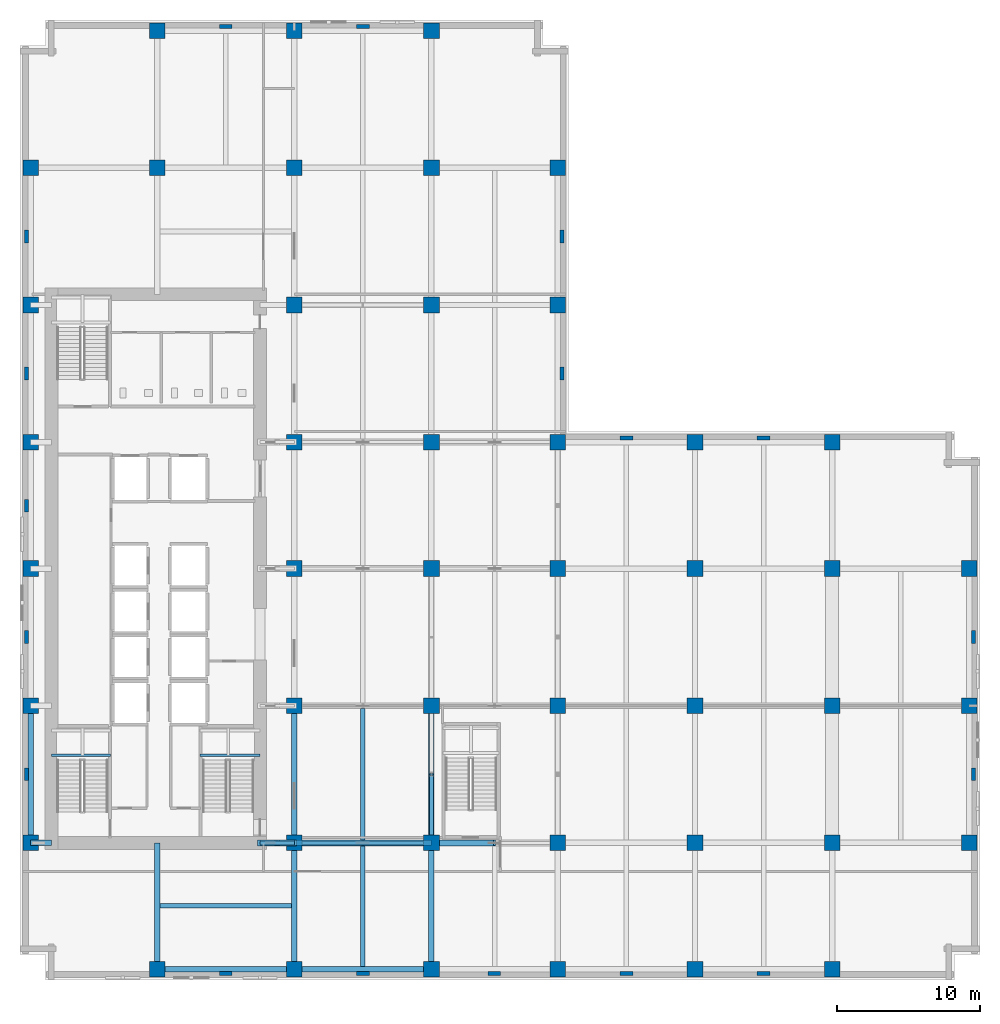
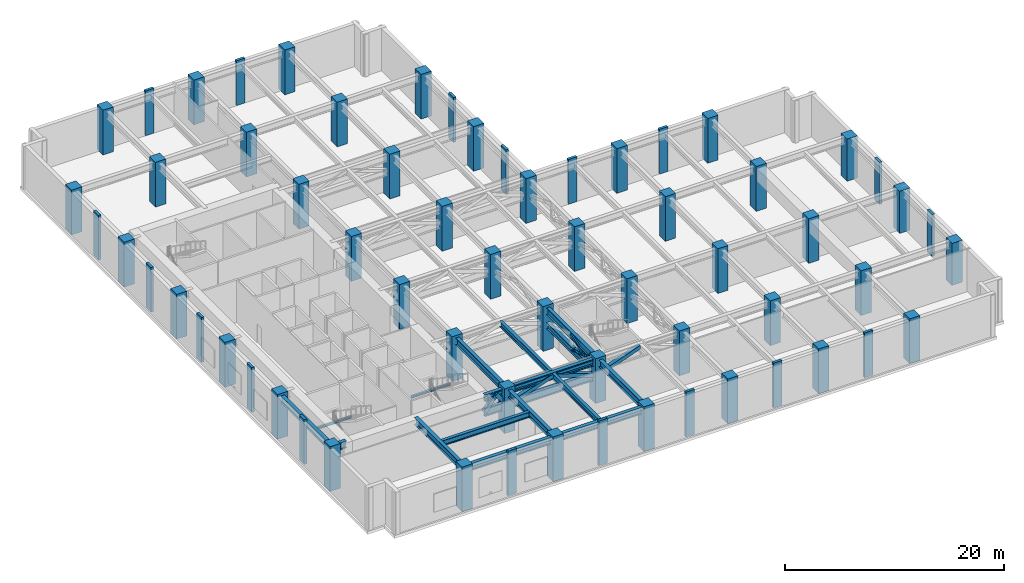
# One storey, part 1 of 22: 63 columns, 19 beams, 9 members.
"""IFC4 building model written with IfcOpenShell, lengths in metres."""

from ifc_helpers import new_model, si_unit, direction, frame, origin, origin_2d, place, context, subcontext, project, spatial, rectangle, hollow_rectangle, i_section, extrude, material, material_profile, profile_set, type_object, element, save


model = new_model("IFC4")

# Units and contexts
model_context = context("Model", 3, precision=1e-05, world=origin(), true_north=direction((0.0, 1.0)))
body_context = subcontext(model_context, "Body", "Model", "MODEL_VIEW")
ifc_project = project(units=[si_unit("LENGTHUNIT", "METRE"), si_unit("AREAUNIT", "SQUARE_METRE"), si_unit("VOLUMEUNIT", "CUBIC_METRE"), si_unit("PLANEANGLEUNIT", "RADIAN"), si_unit("MASSUNIT", "GRAM", prefix="KILO")], contexts=[model_context])

# Site, building, storey
site_placement = place(None, origin())
site = spatial("IfcSite", under=ifc_project, at=site_placement, CompositionType="ELEMENT")
building_placement = place(site_placement, origin())
building = spatial("IfcBuilding", under=site, at=building_placement, Name="Norrvale University Quadrangle", CompositionType="ELEMENT")
storey_placement = place(building_placement, frame((0.0, 0.0, 96.39990234375)))
storey = spatial("IfcBuildingStorey", under=building, at=storey_placement, Name="L24", CompositionType="ELEMENT", Elevation=96.39990234375)

# Columns
ifc_material_1 = material(Name="Buff Brick Concrete C60/75", Category="concrete")
ifc_material_profile_1 = material_profile(ifc_material_1, rectangle(XDim=0.89990234375, YDim=0.280029296875, at=origin_2d()), Name="Buff Brick Concrete C60/75")
ifc_profile_set_1 = profile_set([ifc_material_profile_1], Name="Buff Brick Concrete C60/75")
column_type_1 = type_object("IfcColumnType", Name="Column Buff Pier 900x280", PredefinedType="PILASTER", material=ifc_profile_set_1)
for number, where, z_axis, x_axis, name in (
    (1, (0.449951171875, 14.39990234375, 0.0), (0.0, 0.0, 1.0), (0.0, 1.0, 0.0), "Exterior Brick Facade Pilaster L24-01"),
    (2, (0.449951171875, 24.0, 0.0), (0.0, 0.0, 1.0), (0.0, 1.0, 0.0), "Exterior Brick Facade Pilaster L24-02"),
    (3, (0.449951171875, 33.199951171875, 0.0), (0.0, 0.0, 1.0), (0.0, 1.0, 0.0), "Exterior Brick Facade Pilaster L24-03"),
    (4, (0.449951171875, 42.449951171875, 0.0), (0.0, 0.0, 1.0), (0.0, 1.0, 0.0), "Exterior Brick Facade Pilaster L24-04"),
    (5, (0.449951171875, 52.050048828125, 0.0), (0.0, 0.0, 1.0), (0.0, 1.0, 0.0), "Exterior Brick Facade Pilaster L24-05"),
    (6, (14.39990234375, 0.449951171875, 0.0), (0.0, 0.0, 1.0), (1.0, 0.0, 0.0), "Exterior Brick Facade Pilaster L24-06"),
    (7, (24.0, 0.449951171875, 0.0), (0.0, 0.0, 1.0), (1.0, 0.0, 0.0), "Exterior Brick Facade Pilaster L24-07"),
    (8, (33.199951171875, 0.449951171875, 0.0), (0.0, 0.0, 1.0), (1.0, 0.0, 0.0), "Exterior Brick Facade Pilaster L24-08"),
    (9, (42.449951171875, 0.449951171875, 0.0), (0.0, 0.0, 1.0), (1.0, 0.0, 0.0), "Exterior Brick Facade Pilaster L24-09"),
    (10, (52.050048828125, 0.449951171875, 0.0), (0.0, 0.0, 1.0), (1.0, 0.0, 0.0), "Exterior Brick Facade Pilaster L24-10"),
):
    element("IfcColumn", number, at=place(storey_placement, frame(where, z_axis=z_axis, x_axis=x_axis)), inside=storey, type_object=column_type_1, Name=name, PredefinedType="PILASTER", context=body_context, shape_type="SweptSolid", body=[
        extrude(rectangle(XDim=0.89990234375, YDim=0.280029296875, at=origin_2d()), origin(), (0.0, 0.0, 1.0), 5.0),
    ])
for number, where, z_axis, x_axis, name in (
    (11, (66.75, 14.39990234375, 0.0), (0.0, 0.0, 1.0), (0.0, 1.0, 0.0), "Exterior Brick Facade Pilaster L24-11"),
    (12, (66.75, 24.0, 0.0), (0.0, 0.0, 1.0), (0.0, 1.0, 0.0), "Exterior Brick Facade Pilaster L24-12"),
):
    element("IfcColumn", number, at=place(storey_placement, frame(where, z_axis=z_axis, x_axis=x_axis)), inside=storey, type_object=column_type_1, Name=name, PredefinedType="PILASTER", context=body_context, shape_type="SweptSolid", body=[
        extrude(rectangle(XDim=0.89990234375, YDim=0.280029296875, at=origin_2d()), origin(), (0.0, 0.0, 1.0), 4.7001953125),
    ])
for number, where, z_axis, x_axis, name in (
    (13, (14.39990234375, 66.75, 0.0), (0.0, 0.0, 1.0), (1.0, 0.0, 0.0), "Exterior Brick Facade Pilaster L24-13"),
    (14, (24.0, 66.75, 0.0), (0.0, 0.0, 1.0), (1.0, 0.0, 0.0), "Exterior Brick Facade Pilaster L24-14"),
    (15, (37.949951171875, 42.449951171875, 0.0), (0.0, 0.0, 1.0), (0.0, 1.0, 0.0), "Exterior Brick Facade Pilaster L24-15"),
    (16, (37.949951171875, 52.050048828125, 0.0), (0.0, 0.0, 1.0), (0.0, 1.0, 0.0), "Exterior Brick Facade Pilaster L24-16"),
    (17, (42.449951171875, 37.949951171875, 0.0), (0.0, 0.0, 1.0), (1.0, 0.0, 0.0), "Exterior Brick Facade Pilaster L24-17"),
    (18, (52.050048828125, 37.949951171875, 0.0), (0.0, 0.0, 1.0), (1.0, 0.0, 0.0), "Exterior Brick Facade Pilaster L24-18"),
):
    element("IfcColumn", number, at=place(storey_placement, frame(where, z_axis=z_axis, x_axis=x_axis)), inside=storey, type_object=column_type_1, Name=name, PredefinedType="PILASTER", context=body_context, shape_type="SweptSolid", body=[
        extrude(rectangle(XDim=0.89990234375, YDim=0.280029296875, at=origin_2d()), origin(), (0.0, 0.0, 1.0), 5.0),
    ])
ifc_material_2 = material(Name="Concrete C80/95", Category="concrete")
ifc_material_profile_2 = material_profile(ifc_material_2, rectangle(XDim=1.10009765625, YDim=1.10009765625, at=origin_2d()), Name="Concrete C80/95")
ifc_profile_set_2 = profile_set([ifc_material_profile_2], Name="Concrete C80/95")
column_type_2 = type_object("IfcColumnType", Name="Column Tower Z1 1100x1100", PredefinedType="COLUMN", material=ifc_profile_set_2)
for number, where, z_axis, x_axis, name in (
    (19, (0.75, 9.60009765625, 0.0), (0.0, 0.0, 1.0), (1.0, 0.0, 0.0), "Tower Column L24-T01"),
    (20, (0.75, 19.199951171875, 0.0), (0.0, 0.0, 1.0), (1.0, 0.0, 0.0), "Tower Column L24-T02"),
    (21, (0.75, 28.800048828125, 0.0), (0.0, 0.0, 1.0), (1.0, 0.0, 0.0), "Tower Column L24-T03"),
    (22, (0.75, 37.64990234375, 0.0), (0.0, 0.0, 1.0), (1.0, 0.0, 0.0), "Tower Column L24-T04"),
    (23, (0.75, 47.25, 0.0), (0.0, 0.0, 1.0), (1.0, 0.0, 0.0), "Tower Column L24-T05"),
    (24, (0.75, 56.85009765625, 0.0), (0.0, 0.0, 1.0), (1.0, 0.0, 0.0), "Tower Column L24-T06"),
    (25, (9.60009765625, 0.75, 0.0), (0.0, 0.0, 1.0), (1.0, 0.0, 0.0), "Tower Column L24-T07"),
    (26, (9.60009765625, 56.85009765625, 0.0), (0.0, 0.0, 1.0), (1.0, 0.0, 0.0), "Tower Column L24-T08"),
    (27, (9.60009765625, 66.449951171875, 0.0), (0.0, 0.0, 1.0), (1.0, 0.0, 0.0), "Tower Column L24-T09"),
    (28, (19.199951171875, 0.75, 0.0), (0.0, 0.0, 1.0), (1.0, 0.0, 0.0), "Tower Column L24-T10"),
    (29, (19.199951171875, 9.60009765625, 0.0), (0.0, 0.0, 1.0), (1.0, 0.0, 0.0), "Tower Column L24-T11"),
    (30, (19.199951171875, 19.199951171875, 0.0), (0.0, 0.0, 1.0), (1.0, 0.0, 0.0), "Tower Column L24-T12"),
    (31, (19.199951171875, 28.800048828125, 0.0), (0.0, 0.0, 1.0), (1.0, 0.0, 0.0), "Tower Column L24-T13"),
    (32, (19.199951171875, 37.64990234375, 0.0), (0.0, 0.0, 1.0), (1.0, 0.0, 0.0), "Tower Column L24-T14"),
    (33, (19.199951171875, 47.25, 0.0), (0.0, 0.0, 1.0), (1.0, 0.0, 0.0), "Tower Column L24-T15"),
    (34, (19.199951171875, 56.85009765625, 0.0), (0.0, 0.0, 1.0), (1.0, 0.0, 0.0), "Tower Column L24-T16"),
    (35, (19.199951171875, 66.449951171875, 0.0), (0.0, 0.0, 1.0), (1.0, 0.0, 0.0), "Tower Column L24-T17"),
    (36, (28.800048828125, 0.75, 0.0), (0.0, 0.0, 1.0), (1.0, 0.0, 0.0), "Tower Column L24-T18"),
    (37, (28.800048828125, 9.60009765625, 0.0), (0.0, 0.0, 1.0), (1.0, 0.0, 0.0), "Tower Column L24-T19"),
    (38, (28.800048828125, 19.199951171875, 0.0), (0.0, 0.0, 1.0), (1.0, 0.0, 0.0), "Tower Column L24-T20"),
    (39, (28.800048828125, 28.800048828125, 0.0), (0.0, 0.0, 1.0), (1.0, 0.0, 0.0), "Tower Column L24-T21"),
    (40, (28.800048828125, 37.64990234375, 0.0), (0.0, 0.0, 1.0), (1.0, 0.0, 0.0), "Tower Column L24-T22"),
    (41, (28.800048828125, 47.25, 0.0), (0.0, 0.0, 1.0), (1.0, 0.0, 0.0), "Tower Column L24-T23"),
    (42, (28.800048828125, 56.85009765625, 0.0), (0.0, 0.0, 1.0), (1.0, 0.0, 0.0), "Tower Column L24-T24"),
    (43, (28.800048828125, 66.449951171875, 0.0), (0.0, 0.0, 1.0), (1.0, 0.0, 0.0), "Tower Column L24-T25"),
    (44, (37.64990234375, 0.75, 0.0), (0.0, 0.0, 1.0), (1.0, 0.0, 0.0), "Tower Column L24-T26"),
    (45, (37.64990234375, 9.60009765625, 0.0), (0.0, 0.0, 1.0), (1.0, 0.0, 0.0), "Tower Column L24-T27"),
    (46, (37.64990234375, 19.199951171875, 0.0), (0.0, 0.0, 1.0), (1.0, 0.0, 0.0), "Tower Column L24-T28"),
    (47, (37.64990234375, 28.800048828125, 0.0), (0.0, 0.0, 1.0), (1.0, 0.0, 0.0), "Tower Column L24-T29"),
    (48, (37.64990234375, 37.64990234375, 0.0), (0.0, 0.0, 1.0), (1.0, 0.0, 0.0), "Tower Column L24-T30"),
    (49, (37.64990234375, 47.25, 0.0), (0.0, 0.0, 1.0), (1.0, 0.0, 0.0), "Tower Column L24-T31"),
    (50, (37.64990234375, 56.85009765625, 0.0), (0.0, 0.0, 1.0), (1.0, 0.0, 0.0), "Tower Column L24-T32"),
    (51, (47.25, 0.75, 0.0), (0.0, 0.0, 1.0), (1.0, 0.0, 0.0), "Tower Column L24-T33"),
    (52, (47.25, 9.60009765625, 0.0), (0.0, 0.0, 1.0), (1.0, 0.0, 0.0), "Tower Column L24-T34"),
    (53, (47.25, 19.199951171875, 0.0), (0.0, 0.0, 1.0), (1.0, 0.0, 0.0), "Tower Column L24-T35"),
    (54, (47.25, 28.800048828125, 0.0), (0.0, 0.0, 1.0), (1.0, 0.0, 0.0), "Tower Column L24-T36"),
    (55, (47.25, 37.64990234375, 0.0), (0.0, 0.0, 1.0), (1.0, 0.0, 0.0), "Tower Column L24-T37"),
    (56, (56.85009765625, 0.75, 0.0), (0.0, 0.0, 1.0), (1.0, 0.0, 0.0), "Tower Column L24-T38"),
    (57, (56.85009765625, 9.60009765625, 0.0), (0.0, 0.0, 1.0), (1.0, 0.0, 0.0), "Tower Column L24-T39"),
    (58, (56.85009765625, 19.199951171875, 0.0), (0.0, 0.0, 1.0), (1.0, 0.0, 0.0), "Tower Column L24-T40"),
    (59, (56.85009765625, 28.800048828125, 0.0), (0.0, 0.0, 1.0), (1.0, 0.0, 0.0), "Tower Column L24-T41"),
    (60, (56.85009765625, 37.64990234375, 0.0), (0.0, 0.0, 1.0), (1.0, 0.0, 0.0), "Tower Column L24-T42"),
):
    element("IfcColumn", number, at=place(storey_placement, frame(where, z_axis=z_axis, x_axis=x_axis)), inside=storey, type_object=column_type_2, Name=name, PredefinedType="COLUMN", context=body_context, shape_type="SweptSolid", body=[
        extrude(rectangle(XDim=1.10009765625, YDim=1.10009765625, at=origin_2d()), origin(), (0.0, 0.0, 1.0), 5.0),
    ])
for number, where, z_axis, x_axis, name in (
    (61, (66.449951171875, 9.60009765625, 0.0), (0.0, 0.0, 1.0), (1.0, 0.0, 0.0), "Tower Column L24-T43"),
    (62, (66.449951171875, 19.199951171875, 0.0), (0.0, 0.0, 1.0), (1.0, 0.0, 0.0), "Tower Column L24-T44"),
    (63, (66.449951171875, 28.800048828125, 0.0), (0.0, 0.0, 1.0), (1.0, 0.0, 0.0), "Tower Column L24-T45"),
):
    element("IfcColumn", number, at=place(storey_placement, frame(where, z_axis=z_axis, x_axis=x_axis)), inside=storey, type_object=column_type_2, Name=name, PredefinedType="COLUMN", context=body_context, shape_type="SweptSolid", body=[
        extrude(rectangle(XDim=1.10009765625, YDim=1.10009765625, at=origin_2d()), origin(), (0.0, 0.0, 1.0), 4.7001953125),
    ])

# Beams
ifc_material_3 = material(Name="Steel 350W", Category="steel")
ifc_material_profile_3 = material_profile(ifc_material_3, i_section(OverallWidth=0.324951171875, OverallDepth=0.615966796875, WebThickness=0.013916015625, FlangeThickness=0.021484375, FilletRadius=0.01611328125, at=origin_2d()), Name="Steel 350W")
ifc_profile_set_3 = profile_set([ifc_material_profile_3], Name="Steel 350W")
beam_type_1 = type_object("IfcBeamType", Name="Beam Belt W610x174", PredefinedType="BEAM", material=ifc_profile_set_3)
beam_1_placement = place(storey_placement, frame((24.0, 0.9404296875, 4.43212890625), z_axis=(0.0, 1.0, 0.0), x_axis=(-1.0, 0.0, 0.0)))
element("IfcBeam", 64, at=beam_1_placement, inside=storey, type_object=beam_type_1, Name="Beam Belt W610x174 BM-L24-J078", PredefinedType="BEAM", context=body_context, shape_type="SweptSolid", body=[
    extrude(i_section(OverallWidth=0.324951171875, OverallDepth=0.615966796875, WebThickness=0.013916015625, FlangeThickness=0.021484375, FilletRadius=0.01611328125, at=origin_2d()), origin(), (0.0, 0.0, 1.0), 8.468994140625),
])
for number, where, z_axis, x_axis, name in (
    (65, (24.0, 9.79052734375, 4.43212890625), (0.0, 1.0, 0.0), (-1.0, 0.0, 0.0), "Beam Belt W610x174 BM-L24-J079"),
    (66, (9.79052734375, 5.199951171875, 4.43212890625), (1.0, 0.0, 0.0), (0.0, 1.0, 0.0), "Beam Belt W610x174 BM-L24-JCS101"),
):
    element("IfcBeam", number, at=place(storey_placement, frame(where, z_axis=z_axis, x_axis=x_axis)), inside=storey, type_object=beam_type_1, Name=name, PredefinedType="BEAM", context=body_context, shape_type="SweptSolid", body=[
        extrude(i_section(OverallWidth=0.324951171875, OverallDepth=0.615966796875, WebThickness=0.013916015625, FlangeThickness=0.021484375, FilletRadius=0.01611328125, at=origin_2d()), origin(), (0.0, 0.0, 1.0), 9.218994140625),
    ])
ifc_material_profile_4 = material_profile(ifc_material_3, i_section(OverallWidth=0.35498046875, OverallDepth=0.695068359375, WebThickness=0.015380859375, FlangeThickness=0.02490234375, FilletRadius=0.01806640625, at=origin_2d()), Name="Steel 350W")
ifc_profile_set_4 = profile_set([ifc_material_profile_4], Name="Steel 350W")
beam_type_2 = type_object("IfcBeamType", Name="Beam Belt W690x217", PredefinedType="BEAM", material=ifc_profile_set_4)
beam_2_placement = place(storey_placement, frame((28.800048828125, 9.60009765625, 2.75), z_axis=(0.0, 1.0, 0.0), x_axis=(-1.0, 0.0, 0.0)))
element("IfcBeam", 67, at=beam_2_placement, inside=storey, type_object=beam_type_2, Name="Belt Truss Chord L24-04", PredefinedType="BEAM", context=body_context, shape_type="SweptSolid", body=[
    extrude(i_section(OverallWidth=0.35498046875, OverallDepth=0.695068359375, WebThickness=0.015380859375, FlangeThickness=0.02490234375, FilletRadius=0.01806640625, at=origin_2d()), origin(), (0.0, 0.0, 1.0), 9.599853515625),
])
ifc_material_profile_5 = material_profile(ifc_material_3, i_section(OverallWidth=0.381103515625, OverallDepth=0.77294921875, WebThickness=0.0166015625, FlangeThickness=0.027587890625, FilletRadius=0.02001953125, at=origin_2d()), Name="Steel 350W")
ifc_profile_set_5 = profile_set([ifc_material_profile_5], Name="Steel 350W")
beam_type_3 = type_object("IfcBeamType", Name="Beam Outrig W760x257", PredefinedType="BEAM", material=ifc_profile_set_5)
beam_3_placement = place(storey_placement, frame((9.60009765625, 0.75, 4.353515625), z_axis=(1.0, 0.0, 0.0), x_axis=(0.0, 1.0, 0.0)))
element("IfcBeam", 68, at=beam_3_placement, inside=storey, type_object=beam_type_3, Name="Beam Outrig W760x257 BM-L24-GX001", PredefinedType="BEAM", context=body_context, shape_type="SweptSolid", body=[
    extrude(i_section(OverallWidth=0.381103515625, OverallDepth=0.77294921875, WebThickness=0.0166015625, FlangeThickness=0.027587890625, FilletRadius=0.02001953125, at=origin_2d()), origin(), (0.0, 0.0, 1.0), 9.599853515625),
])
for number, where, z_axis, x_axis, name in (
    (69, (19.199951171875, 0.75, 4.353515625), (1.0, 0.0, 0.0), (0.0, 1.0, 0.0), "Beam Outrig W760x257 BM-L24-GX002"),
    (70, (19.199951171875, 9.60009765625, 4.353515625), (1.0, 0.0, 0.0), (0.0, 1.0, 0.0), "Beam Outrig W760x257 BM-L24-GX006"),
):
    element("IfcBeam", number, at=place(storey_placement, frame(where, z_axis=z_axis, x_axis=x_axis)), inside=storey, type_object=beam_type_3, Name=name, PredefinedType="BEAM", context=body_context, shape_type="SweptSolid", body=[
        extrude(i_section(OverallWidth=0.381103515625, OverallDepth=0.77294921875, WebThickness=0.0166015625, FlangeThickness=0.027587890625, FilletRadius=0.02001953125, at=origin_2d()), origin(), (0.0, 0.0, 1.0), 9.60009765625),
    ])
beam_4_placement = place(storey_placement, frame((0.75, 9.60009765625, 4.353515625), z_axis=(0.0, 1.0, 0.0), x_axis=(-1.0, 0.0, 0.0)))
element("IfcBeam", 71, at=beam_4_placement, inside=storey, type_object=beam_type_3, Name="Beam Outrig W760x257 BM-L24-GY033", PredefinedType="BEAM", context=body_context, shape_type="SweptSolid", body=[
    extrude(i_section(OverallWidth=0.381103515625, OverallDepth=0.77294921875, WebThickness=0.0166015625, FlangeThickness=0.027587890625, FilletRadius=0.02001953125, at=origin_2d()), origin(), (0.0, 0.0, 1.0), 9.599853515625),
])
beam_5_placement = place(storey_placement, frame((19.199951171875, 0.75, 4.353515625), z_axis=(0.0, 1.0, 0.0), x_axis=(-1.0, 0.0, 0.0)))
element("IfcBeam", 72, at=beam_5_placement, inside=storey, type_object=beam_type_3, Name="Beam Outrig W760x257 BM-L24-GY039", PredefinedType="BEAM", context=body_context, shape_type="SweptSolid", body=[
    extrude(i_section(OverallWidth=0.381103515625, OverallDepth=0.77294921875, WebThickness=0.0166015625, FlangeThickness=0.027587890625, FilletRadius=0.02001953125, at=origin_2d()), origin(), (0.0, 0.0, 1.0), 8.85009765625),
])
beam_6_placement = place(storey_placement, frame((19.199951171875, 9.60009765625, 4.353515625), z_axis=(0.0, 1.0, 0.0), x_axis=(-1.0, 0.0, 0.0)))
element("IfcBeam", 73, at=beam_6_placement, inside=storey, type_object=beam_type_3, Name="Beam Outrig W760x257 BM-L24-GY040", PredefinedType="BEAM", context=body_context, shape_type="SweptSolid", body=[
    extrude(i_section(OverallWidth=0.381103515625, OverallDepth=0.77294921875, WebThickness=0.0166015625, FlangeThickness=0.027587890625, FilletRadius=0.02001953125, at=origin_2d()), origin(), (0.0, 0.0, 1.0), 9.599853515625),
])
beam_7_placement = place(storey_placement, frame((28.800048828125, 0.75, 4.353515625), z_axis=(0.0, 1.0, 0.0), x_axis=(-1.0, 0.0, 0.0)))
element("IfcBeam", 74, at=beam_7_placement, inside=storey, type_object=beam_type_3, Name="Beam Outrig W760x257 BM-L24-GY046", PredefinedType="BEAM", context=body_context, shape_type="SweptSolid", body=[
    extrude(i_section(OverallWidth=0.381103515625, OverallDepth=0.77294921875, WebThickness=0.0166015625, FlangeThickness=0.027587890625, FilletRadius=0.02001953125, at=origin_2d()), origin(), (0.0, 0.0, 1.0), 8.85009765625),
])
beam_8_placement = place(storey_placement, frame((28.800048828125, 9.60009765625, 4.353515625), z_axis=(0.0, 1.0, 0.0), x_axis=(-1.0, 0.0, 0.0)))
element("IfcBeam", 75, at=beam_8_placement, inside=storey, type_object=beam_type_3, Name="Beam Outrig W760x257 BM-L24-GY047", PredefinedType="BEAM", context=body_context, shape_type="SweptSolid", body=[
    extrude(i_section(OverallWidth=0.381103515625, OverallDepth=0.77294921875, WebThickness=0.0166015625, FlangeThickness=0.027587890625, FilletRadius=0.02001953125, at=origin_2d()), origin(), (0.0, 0.0, 1.0), 9.599853515625),
])
beam_9_placement = place(storey_placement, frame((0.75, 9.60009765625, 4.353515625), z_axis=(1.0, 0.0, 0.0), x_axis=(0.0, 1.0, 0.0)))
element("IfcBeam", 76, at=beam_9_placement, inside=storey, type_object=beam_type_3, Name="Beam Outrig W760x257 BM-L24-GCW067", PredefinedType="BEAM", context=body_context, shape_type="SweptSolid", body=[
    extrude(i_section(OverallWidth=0.381103515625, OverallDepth=0.77294921875, WebThickness=0.0166015625, FlangeThickness=0.027587890625, FilletRadius=0.02001953125, at=origin_2d()), origin(), (0.0, 0.0, 1.0), 1.449951171875),
])
beam_10_placement = place(storey_placement, frame((16.800048828125, 9.60009765625, 4.353515625), z_axis=(1.0, 0.0, 0.0), x_axis=(0.0, 1.0, 0.0)))
element("IfcBeam", 77, at=beam_10_placement, inside=storey, type_object=beam_type_3, Name="Beam Outrig W760x257 BM-L24-GCE068", PredefinedType="BEAM", context=body_context, shape_type="SweptSolid", body=[
    extrude(i_section(OverallWidth=0.381103515625, OverallDepth=0.77294921875, WebThickness=0.0166015625, FlangeThickness=0.027587890625, FilletRadius=0.02001953125, at=origin_2d()), origin(), (0.0, 0.0, 1.0), 2.39990234375),
])
beam_11_placement = place(storey_placement, frame((9.60009765625, 0.75, 4.353515625), z_axis=(0.0, 1.0, 0.0), x_axis=(-1.0, 0.0, 0.0)))
element("IfcBeam", 78, at=beam_11_placement, inside=storey, type_object=beam_type_3, Name="Beam Outrig W760x257 BM-L24-GCS100", PredefinedType="BEAM", context=body_context, shape_type="SweptSolid", body=[
    extrude(i_section(OverallWidth=0.381103515625, OverallDepth=0.77294921875, WebThickness=0.0166015625, FlangeThickness=0.027587890625, FilletRadius=0.02001953125, at=origin_2d()), origin(), (0.0, 0.0, 1.0), 8.85009765625),
])
ifc_material_profile_6 = material_profile(ifc_material_3, i_section(OverallWidth=0.39990234375, OverallDepth=0.85498046875, WebThickness=0.018310546875, FlangeThickness=0.029296875, FilletRadius=0.02197265625, at=origin_2d()), Name="Steel 350W")
ifc_profile_set_6 = profile_set([ifc_material_profile_6], Name="Steel 350W")
beam_type_4 = type_object("IfcBeamType", Name="Beam Outrig W840x299", PredefinedType="BEAM", material=ifc_profile_set_6)
beam_12_placement = place(storey_placement, frame((16.800048828125, 9.60009765625, 2.75), z_axis=(1.0, 0.0, 0.0), x_axis=(0.0, 1.0, 0.0)))
element("IfcBeam", 79, at=beam_12_placement, inside=storey, type_object=beam_type_4, Name="Outrigger Bottom Chord L24-1.1", PredefinedType="BEAM", context=body_context, shape_type="SweptSolid", body=[
    extrude(i_section(OverallWidth=0.39990234375, OverallDepth=0.85498046875, WebThickness=0.018310546875, FlangeThickness=0.029296875, FilletRadius=0.02197265625, at=origin_2d()), origin(), (0.0, 0.0, 1.0), 2.39990234375),
])
beam_13_placement = place(storey_placement, frame((19.199951171875, 9.60009765625, 2.75), z_axis=(1.0, 0.0, 0.0), x_axis=(0.0, 1.0, 0.0)))
element("IfcBeam", 80, at=beam_13_placement, inside=storey, type_object=beam_type_4, Name="Outrigger Bottom Chord L24-1.2", PredefinedType="BEAM", context=body_context, shape_type="SweptSolid", body=[
    extrude(i_section(OverallWidth=0.39990234375, OverallDepth=0.85498046875, WebThickness=0.018310546875, FlangeThickness=0.029296875, FilletRadius=0.02197265625, at=origin_2d()), origin(), (0.0, 0.0, 1.0), 9.60009765625),
])
ifc_material_profile_7 = material_profile(ifc_material_3, i_section(OverallWidth=0.201904296875, OverallDepth=0.2470703125, WebThickness=0.00732421875, FlangeThickness=0.010986328125, FilletRadius=0.011962890625, at=origin_2d()), Name="Steel 350W")
ifc_profile_set_7 = profile_set([ifc_material_profile_7], Name="Steel 350W")
beam_type_5 = type_object("IfcBeamType", Name="Beam Stair W250x49", PredefinedType="BEAM", material=ifc_profile_set_7)
beam_14_placement = place(storey_placement, frame((2.199951171875, 15.72998046875, 2.176513671875), z_axis=(1.0, 0.0, 0.0), x_axis=(0.0, 1.0, 0.0)))
element("IfcBeam", 81, at=beam_14_placement, inside=storey, type_object=beam_type_5, Name="Stair Mid-Landing Front Beam ST-01 L24", PredefinedType="BEAM", context=body_context, shape_type="SweptSolid", body=[
    extrude(i_section(OverallWidth=0.201904296875, OverallDepth=0.2470703125, WebThickness=0.00732421875, FlangeThickness=0.010986328125, FilletRadius=0.011962890625, at=origin_2d()), origin(), (0.0, 0.0, 1.0), 4.14013671875),
])
beam_15_placement = place(storey_placement, frame((12.610107421875, 15.72998046875, 2.176513671875), z_axis=(1.0, 0.0, 0.0), x_axis=(0.0, 1.0, 0.0)))
element("IfcBeam", 82, at=beam_15_placement, inside=storey, type_object=beam_type_5, Name="Stair Mid-Landing Front Beam ST-03 L24", PredefinedType="BEAM", context=body_context, shape_type="SweptSolid", body=[
    extrude(i_section(OverallWidth=0.201904296875, OverallDepth=0.2470703125, WebThickness=0.00732421875, FlangeThickness=0.010986328125, FilletRadius=0.011962890625, at=origin_2d()), origin(), (0.0, 0.0, 1.0), 4.18994140625),
])

# Members
ifc_material_profile_8 = material_profile(ifc_material_3, hollow_rectangle(XDim=0.304931640625, YDim=0.304931640625, WallThickness=0.012939453125, at=origin_2d()), Name="Steel 350W")
ifc_profile_set_8 = profile_set([ifc_material_profile_8], Name="Steel 350W")
member_type_1 = type_object("IfcMemberType", Name="Member Belt Diag HSS305", PredefinedType="BRACE", material=ifc_profile_set_8)
member_1_placement = place(storey_placement, frame((28.800048828125, 9.60009765625, 2.75), z_axis=(0.0, 0.946278750372, 0.323352016531), x_axis=(-1.0, 0.0, 0.0)))
element("IfcMember", 83, at=member_1_placement, inside=storey, type_object=member_type_1, Name="Belt Truss Brace L24-04A", PredefinedType="BRACE", context=body_context, shape_type="SweptSolid", body=[
    extrude(hollow_rectangle(XDim=0.304931640625, YDim=0.304931640625, WallThickness=0.012939453125, at=origin_2d()), origin(), (0.0, 0.0, 1.0), 5.072265625),
])
ifc_material_profile_9 = material_profile(ifc_material_3, hollow_rectangle(XDim=0.202880859375, YDim=0.304931640625, WallThickness=0.012939453125, at=origin_2d()), Name="Steel 350W")
ifc_profile_set_9 = profile_set([ifc_material_profile_9], Name="Steel 350W")
member_type_2 = type_object("IfcMemberType", Name="Member Chord HSS305x203", PredefinedType="CHORD", material=ifc_profile_set_9)
member_2_placement = place(storey_placement, frame((16.800048828125, 9.60009765625, 4.39013671875), z_axis=(1.0, 0.0, 0.0), x_axis=(0.0, 1.0, 0.0)))
element("IfcMember", 84, at=member_2_placement, inside=storey, type_object=member_type_2, Name="Outrigger Top Chord L24-1.1", PredefinedType="CHORD", context=body_context, shape_type="SweptSolid", body=[
    extrude(hollow_rectangle(XDim=0.202880859375, YDim=0.304931640625, WallThickness=0.012939453125, at=origin_2d()), origin(), (0.0, 0.0, 1.0), 2.39990234375),
])
member_3_placement = place(storey_placement, frame((19.199951171875, 9.60009765625, 4.39013671875), z_axis=(1.0, 0.0, 0.0), x_axis=(0.0, 1.0, 0.0)))
element("IfcMember", 85, at=member_3_placement, inside=storey, type_object=member_type_2, Name="Outrigger Top Chord L24-1.2", PredefinedType="CHORD", context=body_context, shape_type="SweptSolid", body=[
    extrude(hollow_rectangle(XDim=0.202880859375, YDim=0.304931640625, WallThickness=0.012939453125, at=origin_2d()), origin(), (0.0, 0.0, 1.0), 9.60009765625),
])
ifc_material_profile_10 = material_profile(ifc_material_3, hollow_rectangle(XDim=0.406005859375, YDim=0.406005859375, WallThickness=0.01611328125, at=origin_2d()), Name="Steel 350W")
ifc_profile_set_10 = profile_set([ifc_material_profile_10], Name="Steel 350W")
member_type_3 = type_object("IfcMemberType", Name="Member Outrig Diag HSS406", PredefinedType="BRACE", material=ifc_profile_set_10)
for number, where, z_axis, x_axis, name in (
    (86, (16.800048828125, 9.60009765625, 2.75), (0.590462283892, 0.0, 0.807065233609), (0.0, 1.0, 0.0), "Outrigger Truss Diagonal L24-1.1A"),
    (87, (19.199951171875, 9.60009765625, 2.75), (-0.590462283892, 0.0, 0.807065233609), (0.0, -1.0, 0.0), "Outrigger Truss Diagonal L24-1.1B"),
):
    element("IfcMember", number, at=place(storey_placement, frame(where, z_axis=z_axis, x_axis=x_axis)), inside=storey, type_object=member_type_3, Name=name, PredefinedType="BRACE", context=body_context, shape_type="SweptSolid", body=[
        extrude(hollow_rectangle(XDim=0.406005859375, YDim=0.406005859375, WallThickness=0.01611328125, at=origin_2d()), origin(), (0.0, 0.0, 1.0), 2.0322265625),
    ])
for number, where, z_axis, x_axis, name in (
    (88, (19.199951171875, 9.60009765625, 2.75), (0.946283782562, 0.0, 0.323337289622), (0.0, 1.0, 0.0), "Outrigger Truss Diagonal L24-1.2A"),
    (89, (28.800048828125, 9.60009765625, 2.75), (-0.946283782562, 0.0, 0.323337289622), (0.0, -1.0, 0.0), "Outrigger Truss Diagonal L24-1.2B"),
):
    element("IfcMember", number, at=place(storey_placement, frame(where, z_axis=z_axis, x_axis=x_axis)), inside=storey, type_object=member_type_3, Name=name, PredefinedType="BRACE", context=body_context, shape_type="SweptSolid", body=[
        extrude(hollow_rectangle(XDim=0.406005859375, YDim=0.406005859375, WallThickness=0.01611328125, at=origin_2d()), origin(), (0.0, 0.0, 1.0), 5.072509765625),
    ])
member_4_placement = place(storey_placement, frame((28.800048828125, 9.60009765625, 2.75), z_axis=(0.937663862855, 0.0, 0.347543494106), x_axis=(0.0, 1.0, 0.0)))
element("IfcMember", 90, at=member_4_placement, inside=storey, type_object=member_type_3, Name="Outrigger Truss Diagonal L24-1.3A", PredefinedType="BRACE", context=body_context, shape_type="SweptSolid", body=[
    extrude(hollow_rectangle(XDim=0.406005859375, YDim=0.406005859375, WallThickness=0.01611328125, at=origin_2d()), origin(), (0.0, 0.0, 1.0), 4.71923828125),
])
ifc_material_profile_11 = material_profile(ifc_material_3, i_section(OverallWidth=0.30908203125, OverallDepth=0.322998046875, WebThickness=0.01318359375, FlangeThickness=0.02294921875, FilletRadius=0.014892578125, at=origin_2d()), Name="Steel 350W")
ifc_profile_set_11 = profile_set([ifc_material_profile_11], Name="Steel 350W")
member_type_4 = type_object("IfcMemberType", Name="Member Tie W310x143", PredefinedType="BRACE", material=ifc_profile_set_11)
member_5_placement = place(storey_placement, frame((28.800048828125, 9.60009765625, 4.39013671875), z_axis=(0.0, 0.946278750372, -0.323352016531), x_axis=(-1.0, 0.0, 0.0)))
element("IfcMember", 91, at=member_5_placement, inside=storey, type_object=member_type_4, Name="Belt Truss Tie Brace L24-04", PredefinedType="BRACE", context=body_context, shape_type="SweptSolid", body=[
    extrude(i_section(OverallWidth=0.30908203125, OverallDepth=0.322998046875, WebThickness=0.01318359375, FlangeThickness=0.02294921875, FilletRadius=0.014892578125, at=origin_2d()), origin(), (0.0, 0.0, 1.0), 5.072265625),
])

save(model, "model.ifc")
